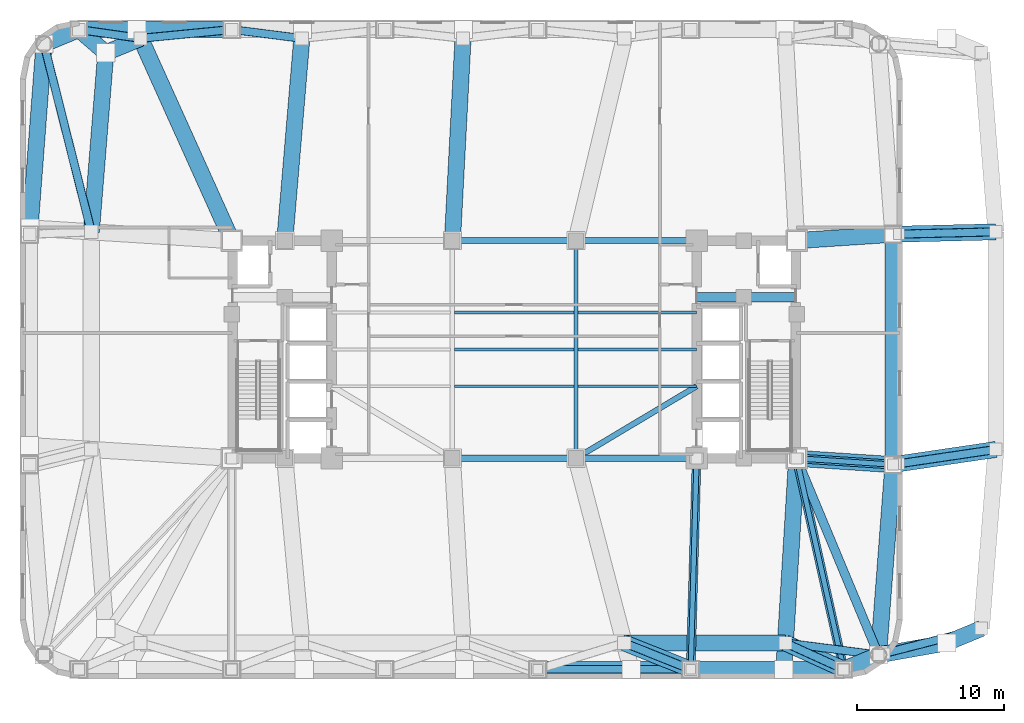
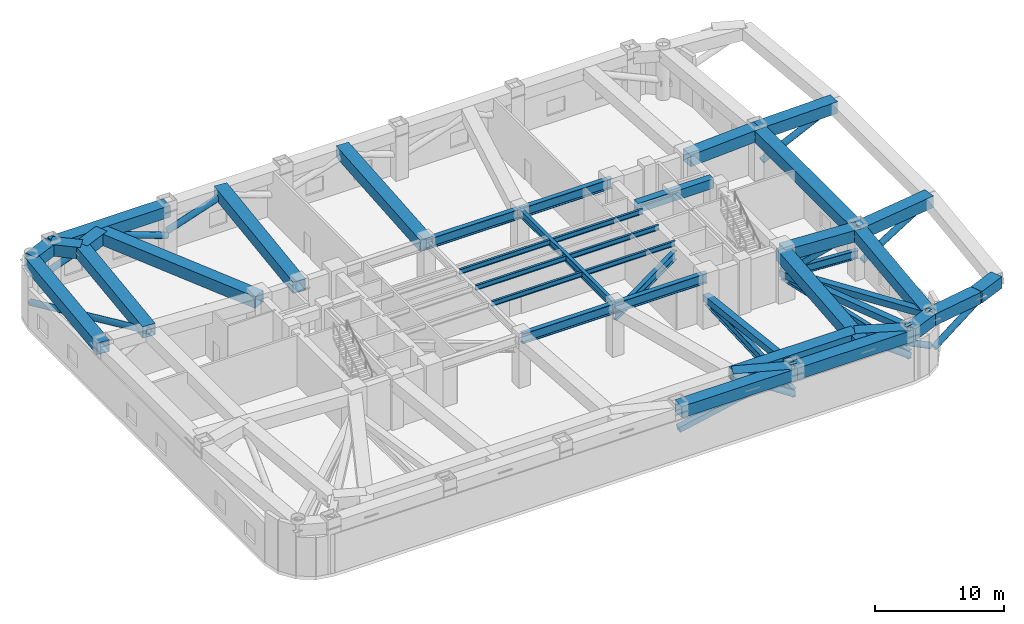
# One storey, part 2 of 9: 40 beams, 15 members.
"""IFC4 building model written with IfcOpenShell, lengths in metres."""

import ifcopenshell
import ifcopenshell.guid

model = None  # the IFC model being written
_history = None  # IfcOwnerHistory: only IFC2X3 demands one
_inside = {}  # id of a spatial element -> (the spatial element, [elements in it])
_under = {}  # id of a project, library or spatial element -> (it, [spatial elements below it])
_declared = {}  # id of a project -> (the project, [libraries it declares])
_typed = {}  # id of a type object -> (the type object, [elements of that type])
_made_of = {}  # id of a material, layer set ... -> (it, [elements and type objects made of it])


def new_model(schema):
    """Start an empty IFC model of exactly this schema.

    Asked for "IFC4X3", IfcOpenShell would pick the latest addendum, in which some entities
    have other attributes; the version numbers below select the first issue.
    IFC2X3 requires an IfcOwnerHistory on every rooted entity: one is made here for all.
    """
    global model, _history
    if schema == "IFC4X3":
        model = ifcopenshell.file(schema_version=(4, 3, 0, 0))
    else:
        model = ifcopenshell.file(schema=schema)
    _inside.clear()
    _under.clear()
    _declared.clear()
    _typed.clear()
    _made_of.clear()
    _history = None
    if model.schema == "IFC2X3":
        org = make("IfcOrganization", Name="unknown")
        user = make(
            "IfcPersonAndOrganization",
            ThePerson=make("IfcPerson", FamilyName="unknown"),
            TheOrganization=org,
        )
        app = make(
            "IfcApplication",
            ApplicationDeveloper=org,
            Version="unknown",
            ApplicationFullName="unknown",
            ApplicationIdentifier="unknown",
        )
        _history = make(
            "IfcOwnerHistory",
            OwningUser=user,
            OwningApplication=app,
            ChangeAction="ADDED",
            CreationDate=0,
        )
    return model


def make(cls, **values):
    """One entity of the class cls with the attributes given. An attribute that is None is left unset."""
    return model.create_entity(
        cls, **{name: value for name, value in values.items() if value is not None}
    )


def rooted(cls, **values):
    """An entity with a GlobalId (a new one), such as an element, a storey or a relation."""
    return make(cls, GlobalId=ifcopenshell.guid.new(), OwnerHistory=_history, **values)


def si_unit(unit_type, name, prefix=None):
    """IfcSIUnit, for example si_unit("LENGTHUNIT", "METRE", prefix="MILLI")."""
    return make("IfcSIUnit", UnitType=unit_type, Prefix=prefix, Name=name)


def assignment(units):
    """IfcUnitAssignment: the units of a project."""
    return None if units is None else make("IfcUnitAssignment", Units=units)


def point(xyz):
    """IfcCartesianPoint."""
    return None if xyz is None else make("IfcCartesianPoint", Coordinates=xyz)


def direction(xyz):
    """IfcDirection."""
    return None if xyz is None else make("IfcDirection", DirectionRatios=xyz)


def frame(location, z_axis=None, x_axis=None):
    """IfcAxis2Placement3D, a coordinate frame: its origin and axes. An axis left out is left unset."""
    return make(
        "IfcAxis2Placement3D",
        Location=point(location),
        Axis=direction(z_axis),
        RefDirection=direction(x_axis),
    )


def frame_2d(location, x_axis=None):
    """IfcAxis2Placement2D, a coordinate frame in the plane: its origin and x axis."""
    return make(
        "IfcAxis2Placement2D", Location=point(location), RefDirection=direction(x_axis)
    )


def origin():
    """The frame at (0, 0, 0) with its axes left unset."""
    return frame((0.0, 0.0, 0.0))


def origin_2d():
    """The frame at (0, 0) in the plane with its x axis left unset."""
    return frame_2d((0.0, 0.0))


def place(relative_to, where):
    """IfcLocalPlacement: puts the frame where relative to a parent placement (None: the world)."""
    return make(
        "IfcLocalPlacement", PlacementRelTo=relative_to, RelativePlacement=where
    )


def context(
    kind, dimensions, precision=None, world=None, true_north=None, identifier=None
):
    """IfcGeometricRepresentationContext, for example the 3D "Model" context."""
    return make(
        "IfcGeometricRepresentationContext",
        ContextIdentifier=identifier,
        ContextType=kind,
        CoordinateSpaceDimension=dimensions,
        Precision=precision,
        WorldCoordinateSystem=world,
        TrueNorth=true_north,
    )


def subcontext(parent, identifier, kind, view, scale=None):
    """IfcGeometricRepresentationSubContext, for example "Body" below "Model"."""
    return make(
        "IfcGeometricRepresentationSubContext",
        ContextIdentifier=identifier,
        ContextType=kind,
        ParentContext=parent,
        TargetScale=scale,
        TargetView=view,
    )


def project(units=None, contexts=None):
    """IfcProject with its units and contexts."""
    return rooted(
        "IfcProject",
        Name="project",
        RepresentationContexts=contexts,
        UnitsInContext=assignment(units),
    )


def spatial(cls, under=None, at=None, **own):
    """A site, building, storey or space (cls), placed at a placement, below another one or the project."""
    s = rooted(cls, ObjectPlacement=at, **own)
    if under is not None:
        _under.setdefault(under.id(), (under, []))[1].append(s)
    return s


def profile(cls, at=None, kind="AREA", **sizes):
    """A parametric profile (cls). Its sizes go by their IFC names, for example OverallWidth=200.0."""
    return make(cls, ProfileType=kind, Position=at, **sizes)


def rectangle(**sizes):
    """IfcRectangleProfileDef."""
    return profile("IfcRectangleProfileDef", **sizes)


def hollow_rectangle(**sizes):
    """IfcRectangleHollowProfileDef."""
    return profile("IfcRectangleHollowProfileDef", **sizes)


def hollow_circle(**sizes):
    """IfcCircleHollowProfileDef."""
    return profile("IfcCircleHollowProfileDef", **sizes)


def i_section(**sizes):
    """IfcIShapeProfileDef."""
    return profile("IfcIShapeProfileDef", **sizes)


def extrude(swept, where, along, depth):
    """IfcExtrudedAreaSolid: the profile swept, set in the frame where, extruded along a direction by depth."""
    return make(
        "IfcExtrudedAreaSolid",
        SweptArea=swept,
        Position=where,
        ExtrudedDirection=direction(along),
        Depth=depth,
    )


def shape(context_of_items, identifier, shape_type, items):
    """IfcShapeRepresentation: the items that make up one representation, for example the "Body"."""
    return make(
        "IfcShapeRepresentation",
        ContextOfItems=context_of_items,
        RepresentationIdentifier=identifier,
        RepresentationType=shape_type,
        Items=items,
    )


def material(Name=None, Category=None):
    """IfcMaterial."""
    return make("IfcMaterial", Name=Name, Category=Category)


def material_profile(
    of_material, cross_section, Name=None, Category=None, Priority=None
):
    """IfcMaterialProfile: a cross section and its material."""
    return make(
        "IfcMaterialProfile",
        Name=Name,
        Material=of_material,
        Profile=cross_section,
        Priority=Priority,
        Category=Category,
    )


def profile_set(profiles, Name=None, composite=None):
    """IfcMaterialProfileSet."""
    return make(
        "IfcMaterialProfileSet",
        Name=Name,
        MaterialProfiles=profiles,
        CompositeProfile=composite,
    )


def made_of(thing, what):
    """Note that an element or type object is made of a material, layer set ...; save() writes the relation."""
    if what is not None:
        _made_of.setdefault(what.id(), (what, []))[1].append(thing)
    return thing


def type_object(cls, material=None, **own):
    """A type object (cls), such as IfcWallType, which elements share."""
    return made_of(rooted(cls, **own), material)


def element(
    cls,
    number,
    at=None,
    inside=None,
    cuts=None,
    type_object=None,
    material=None,
    context=None,
    identifier="Body",
    shape_type=None,
    held_by="IfcProductDefinitionShape",
    body=None,
    shapes=None,
    **own,
):
    """One element of the class cls, such as IfcWall. Its Tag is "e" and its number.

    at: its placement. inside: the storey or other place that contains it. cuts: it is an
    opening in that element (IfcRelVoidsElement). A single representation is given by context,
    identifier, shape_type and body (its items); several are given by shapes. held_by: the class
    of the entity that holds the representations. save() writes the other relations.
    """
    e = rooted(cls, Tag="e%d" % number, ObjectPlacement=at, **own)
    if body is not None:
        shapes = [shape(context, identifier, shape_type, body)]
    if shapes is not None:
        e.Representation = make(held_by, Representations=shapes)
    if inside is not None:
        _inside.setdefault(inside.id(), (inside, []))[1].append(e)
    if cuts is not None:
        rooted(
            "IfcRelVoidsElement", RelatingBuildingElement=cuts, RelatedOpeningElement=e
        )
    if type_object is not None:
        _typed.setdefault(type_object.id(), (type_object, []))[1].append(e)
    return made_of(e, material)


def aggregate(whole, parts):
    """IfcRelAggregates: a whole, such as a stair, and the parts it consists of."""
    return rooted("IfcRelAggregates", RelatingObject=whole, RelatedObjects=parts)


def save(model, path):
    """Write the relations noted so far, then the file.

    IfcRelAggregates (storeys below a building ...), IfcRelContainedInSpatialStructure (elements
    in a storey), IfcRelDefinesByType, IfcRelAssociatesMaterial and IfcRelDeclares: one each for
    every whole, place, type object, material and project.
    """
    for whole, parts in _under.values():
        aggregate(whole, parts)
    for where, things in _inside.values():
        rooted(
            "IfcRelContainedInSpatialStructure",
            RelatedElements=things,
            RelatingStructure=where,
        )
    for kind, things in _typed.values():
        rooted("IfcRelDefinesByType", RelatedObjects=things, RelatingType=kind)
    for what, things in _made_of.values():
        rooted("IfcRelAssociatesMaterial", RelatedObjects=things, RelatingMaterial=what)
    for by, libraries in _declared.values():
        rooted("IfcRelDeclares", RelatingContext=by, RelatedDefinitions=libraries)
    model.write(path)


model = new_model("IFC4")

# Units and contexts
model_context = context("Model", 3, precision=1e-05, world=origin(), true_north=direction((0.0, 1.0)))
body_context = subcontext(model_context, "Body", "Model", "MODEL_VIEW")
ifc_project = project(units=[si_unit("LENGTHUNIT", "METRE"), si_unit("AREAUNIT", "SQUARE_METRE"), si_unit("VOLUMEUNIT", "CUBIC_METRE"), si_unit("PLANEANGLEUNIT", "RADIAN"), si_unit("MASSUNIT", "GRAM", prefix="KILO")], contexts=[model_context])

# Site, building, storey
site_placement = place(None, origin())
site = spatial("IfcSite", under=ifc_project, at=site_placement, CompositionType="ELEMENT")
building_placement = place(site_placement, origin())
building = spatial("IfcBuilding", under=site, at=building_placement, Name="Voryun Gate Residences", CompositionType="ELEMENT")
storey_placement = place(building_placement, frame((0.0, 0.0, 80.60009765625)))
storey = spatial("IfcBuildingStorey", under=building, at=storey_placement, Name="L19", CompositionType="ELEMENT", Elevation=80.60009765625)

# Beams
ifc_material_1 = material(Name="Steel SM420", Category="steel")
ifc_material_profile_1 = material_profile(ifc_material_1, hollow_rectangle(XDim=1.10009765625, YDim=1.10009765625, WallThickness=0.035888671875, at=origin_2d()), Name="BOX-1100x1100x36")
ifc_profile_set_1 = profile_set([ifc_material_profile_1], Name="Steel SM420")
beam_type_1 = type_object("IfcBeamType", Name="BM_ARCH_RIB", PredefinedType="USERDEFINED", material=ifc_profile_set_1)
for number, where, z_axis, x_axis, name in (
    (1, (1.60009765625, -21.75, 4.25), (1.0, 0.0, 0.0), (0.0, 1.0, 0.0), "BM-L19-SPAND-04"),
    (2, (12.0, -21.75, 4.25), (1.0, 0.0, 0.0), (0.0, 1.0, 0.0), "BM-L19-SPAND-05"),
):
    element("IfcBeam", number, at=place(storey_placement, frame(where, z_axis=z_axis, x_axis=x_axis)), inside=storey, type_object=beam_type_1, Name=name, ObjectType="GIRDER", PredefinedType="USERDEFINED", context=body_context, shape_type="SweptSolid", body=[
        extrude(hollow_rectangle(XDim=1.10009765625, YDim=1.10009765625, WallThickness=0.035888671875, at=origin_2d()), origin(), (0.0, 0.0, 1.0), 10.39990234375),
    ])
beam_1_placement = place(storey_placement, frame((22.39990234375, -21.75, 4.25), z_axis=(0.923883376753, 0.382674151414, 0.0), x_axis=(-0.382674151414, 0.923883376753, 0.0)))
element("IfcBeam", 3, at=beam_1_placement, inside=storey, type_object=beam_type_1, Name="BM-L19-SPAND-06", ObjectType="GIRDER", PredefinedType="USERDEFINED", context=body_context, shape_type="SweptSolid", body=[
    extrude(hollow_rectangle(XDim=1.10009765625, YDim=1.10009765625, WallThickness=0.035888671875, at=origin_2d()), origin(), (0.0, 0.0, 1.0), 2.56396484375),
])
beam_2_placement = place(storey_placement, frame((24.768798828125, -20.768798828125, 4.25), z_axis=(0.075617360159, 0.997136908776, 0.0), x_axis=(-0.997136908776, 0.075617360159, 0.0)))
element("IfcBeam", 4, at=beam_2_placement, inside=storey, type_object=beam_type_1, Name="BM-L19-SPAND-07", ObjectType="GIRDER", PredefinedType="USERDEFINED", context=body_context, shape_type="SweptSolid", body=[
    extrude(hollow_rectangle(XDim=1.10009765625, YDim=1.10009765625, WallThickness=0.035888671875, at=origin_2d()), origin(), (0.0, 0.0, 1.0), 12.975830078125),
])
beam_3_placement = place(storey_placement, frame((25.75, -7.830078125, 4.25), z_axis=(0.0, 1.0, 0.0), x_axis=(-1.0, 0.0, 0.0)))
element("IfcBeam", 5, at=beam_3_placement, inside=storey, type_object=beam_type_1, Name="BM-L19-SPAND-08", ObjectType="GIRDER", PredefinedType="USERDEFINED", context=body_context, shape_type="SweptSolid", body=[
    extrude(hollow_rectangle(XDim=1.10009765625, YDim=1.10009765625, WallThickness=0.035888671875, at=origin_2d()), origin(), (0.0, 0.0, 1.0), 15.66015625),
])
beam_4_placement = place(storey_placement, frame((-19.199951171875, 21.75, 4.25), z_axis=(-1.0, 0.0, 0.0), x_axis=(0.0, -1.0, 0.0)))
element("IfcBeam", 6, at=beam_4_placement, inside=storey, type_object=beam_type_1, Name="BM-L19-SPAND-15", ObjectType="GIRDER", PredefinedType="USERDEFINED", context=body_context, shape_type="SweptSolid", body=[
    extrude(hollow_rectangle(XDim=1.10009765625, YDim=1.10009765625, WallThickness=0.035888671875, at=origin_2d()), origin(), (0.0, 0.0, 1.0), 10.400146484375),
])
beam_5_placement = place(storey_placement, frame((-29.60009765625, 21.75, 4.25), z_axis=(-0.92386943149, -0.382707817477, 0.0), x_axis=(0.382707817477, -0.92386943149, 0.0)))
element("IfcBeam", 7, at=beam_5_placement, inside=storey, type_object=beam_type_1, Name="BM-L19-SPAND-16", ObjectType="GIRDER", PredefinedType="USERDEFINED", context=body_context, shape_type="SweptSolid", body=[
    extrude(hollow_rectangle(XDim=1.10009765625, YDim=1.10009765625, WallThickness=0.035888671875, at=origin_2d()), origin(), (0.0, 0.0, 1.0), 2.563720703125),
])
beam_6_placement = place(storey_placement, frame((-31.96875, 20.768798828125, 4.25), z_axis=(-0.075617360159, -0.997136908776, 0.0), x_axis=(0.997136908776, -0.075617360159, 0.0)))
element("IfcBeam", 8, at=beam_6_placement, inside=storey, type_object=beam_type_1, Name="BM-L19-SPAND-17", ObjectType="GIRDER", PredefinedType="USERDEFINED", context=body_context, shape_type="SweptSolid", body=[
    extrude(hollow_rectangle(XDim=1.10009765625, YDim=1.10009765625, WallThickness=0.035888671875, at=origin_2d()), origin(), (0.0, 0.0, 1.0), 12.975830078125),
])
beam_7_placement = place(storey_placement, frame((12.0, -21.75, 4.25), z_axis=(-0.929039716676, 0.369980005998, 0.0), x_axis=(-0.369980005998, -0.929039716676, 0.0)))
element("IfcBeam", 9, at=beam_7_placement, inside=storey, type_object=beam_type_1, Name="BM-L19-XFERLOW-S4", ObjectType="GIRDER", PredefinedType="USERDEFINED", context=body_context, shape_type="SweptSolid", body=[
    extrude(hollow_rectangle(XDim=1.10009765625, YDim=1.10009765625, WallThickness=0.035888671875, at=origin_2d()), origin(), (0.0, 0.0, 1.0), 4.865234375),
])
beam_8_placement = place(storey_placement, frame((19.199951171875, -7.39990234375, 4.25), z_axis=(-0.060439173306, -0.998171882158, 0.0), x_axis=(0.998171882158, -0.060439173306, 0.0)))
element("IfcBeam", 10, at=beam_8_placement, inside=storey, type_object=beam_type_1, Name="BM-L19-XFERCANT-S5", ObjectType="GIRDER", PredefinedType="USERDEFINED", context=body_context, shape_type="SweptSolid", body=[
    extrude(hollow_rectangle(XDim=1.10009765625, YDim=1.10009765625, WallThickness=0.035888671875, at=origin_2d()), origin(), (0.0, 0.0, 1.0), 14.37646484375),
])
beam_9_placement = place(storey_placement, frame((22.39990234375, -21.75, 4.25), z_axis=(-0.910360711023, 0.413815630233, 0.0), x_axis=(-0.413815630233, -0.910360711023, 0.0)))
element("IfcBeam", 11, at=beam_9_placement, inside=storey, type_object=beam_type_1, Name="BM-L19-XFERLOW-S5", ObjectType="GIRDER", PredefinedType="USERDEFINED", context=body_context, shape_type="SweptSolid", body=[
    extrude(hollow_rectangle(XDim=1.10009765625, YDim=1.10009765625, WallThickness=0.035888671875, at=origin_2d()), origin(), (0.0, 0.0, 1.0), 4.349853515625),
])
beam_10_placement = place(storey_placement, frame((24.768798828125, -20.768798828125, 4.25), z_axis=(0.984725494509, 0.174114044419, 0.0), x_axis=(-0.174114044419, 0.984725494509, 0.0)))
element("IfcBeam", 12, at=beam_10_placement, inside=storey, type_object=beam_type_1, Name="BM-L19-XFERLOW-S6", ObjectType="GIRDER", PredefinedType="USERDEFINED", context=body_context, shape_type="SweptSolid", body=[
    extrude(hollow_rectangle(XDim=1.10009765625, YDim=1.10009765625, WallThickness=0.035888671875, at=origin_2d()), origin(), (0.0, 0.0, 1.0), 4.702880859375),
])
beam_11_placement = place(storey_placement, frame((25.75, -7.830078125, 4.25), z_axis=(0.98930677453, 0.145849600165, 0.0), x_axis=(-0.145849600165, 0.98930677453, 0.0)))
element("IfcBeam", 13, at=beam_11_placement, inside=storey, type_object=beam_type_1, Name="BM-L19-XFERLOW-E1", ObjectType="GIRDER", PredefinedType="USERDEFINED", context=body_context, shape_type="SweptSolid", body=[
    extrude(hollow_rectangle(XDim=1.10009765625, YDim=1.10009765625, WallThickness=0.035888671875, at=origin_2d()), origin(), (0.0, 0.0, 1.0), 7.07568359375),
])
beam_12_placement = place(storey_placement, frame((25.75, 7.830078125, 4.25), z_axis=(0.999712231397, 0.023988630552, 0.0), x_axis=(-0.023988630552, 0.999712231397, 0.0)))
element("IfcBeam", 14, at=beam_12_placement, inside=storey, type_object=beam_type_1, Name="BM-L19-XFERLOW-E2", ObjectType="GIRDER", PredefinedType="USERDEFINED", context=body_context, shape_type="SweptSolid", body=[
    extrude(hollow_rectangle(XDim=1.10009765625, YDim=1.10009765625, WallThickness=0.035888671875, at=origin_2d()), origin(), (0.0, 0.0, 1.0), 7.001953125),
])
beam_13_placement = place(storey_placement, frame((-4.199951171875, 7.39990234375, 4.25), z_axis=(0.052294877875, 0.998631686733, 0.0), x_axis=(-0.998631686733, 0.052294877875, 0.0)))
element("IfcBeam", 15, at=beam_13_placement, inside=storey, type_object=beam_type_1, Name="BM-L19-XFERCANT-N4", ObjectType="GIRDER", PredefinedType="USERDEFINED", context=body_context, shape_type="SweptSolid", body=[
    extrude(hollow_rectangle(XDim=1.10009765625, YDim=1.10009765625, WallThickness=0.035888671875, at=origin_2d()), origin(), (0.0, 0.0, 1.0), 14.369873046875),
])
beam_14_placement = place(storey_placement, frame((-15.60009765625, 7.39990234375, 4.25), z_axis=(0.08406962738, 0.996459882661, 0.0), x_axis=(-0.996459882661, 0.08406962738, 0.0)))
element("IfcBeam", 16, at=beam_14_placement, inside=storey, type_object=beam_type_1, Name="BM-L19-XFERCANT-N5", ObjectType="GIRDER", PredefinedType="USERDEFINED", context=body_context, shape_type="SweptSolid", body=[
    extrude(hollow_rectangle(XDim=1.10009765625, YDim=1.10009765625, WallThickness=0.035888671875, at=origin_2d()), origin(), (0.0, 0.0, 1.0), 14.401123046875),
])
beam_15_placement = place(storey_placement, frame((-19.199951171875, 7.39990234375, 4.25), z_axis=(-0.411046849122, 0.911614220944, 0.0), x_axis=(-0.911614220944, -0.411046849122, 0.0)))
element("IfcBeam", 17, at=beam_15_placement, inside=storey, type_object=beam_type_1, Name="BM-L19-XFERCANT-N6", ObjectType="GIRDER", PredefinedType="USERDEFINED", context=body_context, shape_type="SweptSolid", body=[
    extrude(hollow_rectangle(XDim=1.10009765625, YDim=1.10009765625, WallThickness=0.035888671875, at=origin_2d()), origin(), (0.0, 0.0, 1.0), 15.741455078125),
])
beam_16_placement = place(storey_placement, frame((-29.60009765625, 21.75, 4.25), z_axis=(0.756879726015, -0.653554190827, 0.0), x_axis=(0.653554190827, 0.756879726015, 0.0)))
element("IfcBeam", 18, at=beam_16_placement, inside=storey, type_object=beam_type_1, Name="BM-L19-XFERLOW-CNW", ObjectType="GIRDER", PredefinedType="USERDEFINED", context=body_context, shape_type="SweptSolid", body=[
    extrude(hollow_rectangle(XDim=1.10009765625, YDim=1.10009765625, WallThickness=0.035888671875, at=origin_2d()), origin(), (0.0, 0.0, 1.0), 2.41943359375),
])
beam_17_placement = place(storey_placement, frame((7.47998046875, -19.949951171875, 4.25), z_axis=(1.0, 0.0, 0.0), x_axis=(0.0, 1.0, 0.0)))
element("IfcBeam", 19, at=beam_17_placement, inside=storey, type_object=beam_type_1, Name="BM-L19-XFERRING-04", ObjectType="GIRDER", PredefinedType="USERDEFINED", context=body_context, shape_type="SweptSolid", body=[
    extrude(hollow_rectangle(XDim=1.10009765625, YDim=1.10009765625, WallThickness=0.035888671875, at=origin_2d()), origin(), (0.0, 0.0, 1.0), 10.9599609375),
])
for number, where, z_axis, x_axis, name in (
    (20, (29.39990234375, -19.949951171875, 4.25), (0.923883376753, 0.382674151414, 0.0), (-0.382674151414, 0.923883376753, 0.0), "BM-L19-XFERRING-06"),
    (21, (-25.39990234375, 21.14990234375, 4.25), (-0.923883376753, -0.382674151414, 0.0), (0.382674151414, -0.923883376753, 0.0), "BM-L19-XFERRING-16"),
):
    element("IfcBeam", number, at=place(storey_placement, frame(where, z_axis=z_axis, x_axis=x_axis)), inside=storey, type_object=beam_type_1, Name=name, ObjectType="GIRDER", PredefinedType="USERDEFINED", context=body_context, shape_type="SweptSolid", body=[
        extrude(hollow_rectangle(XDim=1.10009765625, YDim=1.10009765625, WallThickness=0.035888671875, at=origin_2d()), origin(), (0.0, 0.0, 1.0), 2.56396484375),
    ])
beam_18_placement = place(storey_placement, frame((-27.768798828125, 20.168701171875, 4.25), z_axis=(-0.080359517973, -0.996765944378, 0.0), x_axis=(0.996765944378, -0.080359517973, 0.0)))
element("IfcBeam", 22, at=beam_18_placement, inside=storey, type_object=beam_type_1, Name="BM-L19-XFERRING-17", ObjectType="GIRDER", PredefinedType="USERDEFINED", context=body_context, shape_type="SweptSolid", body=[
    extrude(hollow_rectangle(XDim=1.10009765625, YDim=1.10009765625, WallThickness=0.035888671875, at=origin_2d()), origin(), (0.0, 0.0, 1.0), 12.210205078125),
])
for number, where, z_axis, x_axis, name in (
    (23, (19.199951171875, -7.39990234375, 4.25), (0.997850335415, -0.06553402255, 0.0), (0.06553402255, 0.997850335415, 0.0), "BM-L19-RAD-E1"),
    (24, (19.199951171875, 7.39990234375, 4.25), (0.997850335415, 0.06553402255, 0.0), (-0.06553402255, 0.997850335415, 0.0), "BM-L19-RAD-E2"),
):
    element("IfcBeam", number, at=place(storey_placement, frame(where, z_axis=z_axis, x_axis=x_axis)), inside=storey, type_object=beam_type_1, Name=name, ObjectType="GIRDER", PredefinedType="USERDEFINED", context=body_context, shape_type="SweptSolid", body=[
        extrude(hollow_rectangle(XDim=1.10009765625, YDim=1.10009765625, WallThickness=0.035888671875, at=origin_2d()), origin(), (0.0, 0.0, 1.0), 6.564208984375),
    ])
ifc_material_2 = material(Name="Concrete C60/75", Category="concrete")
ifc_material_profile_2 = material_profile(ifc_material_2, rectangle(XDim=0.64990234375, YDim=0.89990234375, at=origin_2d()), Name="RC-650x900")
ifc_profile_set_2 = profile_set([ifc_material_profile_2], Name="Concrete C60/75")
beam_type_2 = type_object("IfcBeamType", Name="BM_COUP_RC900", PredefinedType="LINTEL", material=ifc_profile_set_2)
beam_19_placement = place(storey_placement, frame((12.39990234375, 3.550048828125, 4.349853515625), z_axis=(1.0, 0.0, 0.0), x_axis=(0.0, 1.0, 0.0)))
element("IfcBeam", 25, at=beam_19_placement, inside=storey, type_object=beam_type_2, Name="BM-L19-EC1", PredefinedType="LINTEL", context=body_context, shape_type="SweptSolid", body=[
    extrude(rectangle(XDim=0.64990234375, YDim=0.89990234375, at=origin_2d()), origin(), (0.0, 0.0, 1.0), 6.800048828125),
])
ifc_material_3 = material(Name="Steel SM355", Category="steel")
ifc_material_profile_3 = material_profile(ifc_material_3, i_section(OverallWidth=0.300048828125, OverallDepth=0.699951171875, WebThickness=0.012939453125, FlangeThickness=0.02392578125, FilletRadius=0.01806640625, at=origin_2d()), Name="H-700x300x13x24")
ifc_profile_set_3 = profile_set([ifc_material_profile_3], Name="Steel SM355")
beam_type_3 = type_object("IfcBeamType", Name="BM_GIRD_700", PredefinedType="USERDEFINED", material=ifc_profile_set_3)
beam_20_placement = place(storey_placement, frame((4.199951171875, -7.39990234375, 4.449951171875), z_axis=(0.0, 1.0, 0.0), x_axis=(-1.0, 0.0, 0.0)))
element("IfcBeam", 26, at=beam_20_placement, inside=storey, type_object=beam_type_3, Name="BM-L19-SPX-E", ObjectType="GIRDER", PredefinedType="USERDEFINED", context=body_context, shape_type="SweptSolid", body=[
    extrude(i_section(OverallWidth=0.300048828125, OverallDepth=0.699951171875, WebThickness=0.012939453125, FlangeThickness=0.02392578125, FilletRadius=0.01806640625, at=origin_2d()), origin(), (0.0, 0.0, 1.0), 14.7998046875),
])
ifc_material_4 = material(Name="Steel SM420", Category="steel")
ifc_material_profile_4 = material_profile(ifc_material_4, i_section(OverallWidth=0.360107421875, OverallDepth=0.800048828125, WebThickness=0.01611328125, FlangeThickness=0.030029296875, FilletRadius=0.01806640625, at=origin_2d()), Name="H-800x360x16x30")
ifc_profile_set_4 = profile_set([ifc_material_profile_4], Name="Steel SM420")
beam_type_4 = type_object("IfcBeamType", Name="BM_OUTRIGGER_CHD", PredefinedType="USERDEFINED", material=ifc_profile_set_4)
beam_21_placement = place(storey_placement, frame((12.39990234375, -7.39990234375, 2.14990234375), z_axis=(-0.0278567548, -0.999611925305, 0.0), x_axis=(0.999611925305, -0.0278567548, 0.0)))
element("IfcBeam", 27, at=beam_21_placement, inside=storey, type_object=beam_type_4, Name="BM-L19-OUTCHD-S5", ObjectType="GIRDER", PredefinedType="USERDEFINED", context=body_context, shape_type="SweptSolid", body=[
    extrude(i_section(OverallWidth=0.360107421875, OverallDepth=0.800048828125, WebThickness=0.01611328125, FlangeThickness=0.030029296875, FilletRadius=0.01806640625, at=origin_2d()), origin(), (0.0, 0.0, 1.0), 14.355712890625),
])
beam_22_placement = place(storey_placement, frame((19.199951171875, -7.39990234375, 2.14990234375), z_axis=(0.217645991352, -0.976027777498, 0.0), x_axis=(0.976027777498, 0.217645991352, 0.0)))
element("IfcBeam", 28, at=beam_22_placement, inside=storey, type_object=beam_type_4, Name="BM-L19-OUTCHD-S6", ObjectType="GIRDER", PredefinedType="USERDEFINED", context=body_context, shape_type="SweptSolid", body=[
    extrude(i_section(OverallWidth=0.360107421875, OverallDepth=0.800048828125, WebThickness=0.01611328125, FlangeThickness=0.030029296875, FilletRadius=0.01806640625, at=origin_2d()), origin(), (0.0, 0.0, 1.0), 14.70263671875),
])
beam_23_placement = place(storey_placement, frame((19.199951171875, -7.39990234375, 2.14990234375), z_axis=(0.997850335415, -0.06553402255, 0.0), x_axis=(0.06553402255, 0.997850335415, 0.0)))
element("IfcBeam", 29, at=beam_23_placement, inside=storey, type_object=beam_type_4, Name="BM-L19-OUTCHD-E1", ObjectType="GIRDER", PredefinedType="USERDEFINED", context=body_context, shape_type="SweptSolid", body=[
    extrude(i_section(OverallWidth=0.360107421875, OverallDepth=0.800048828125, WebThickness=0.01611328125, FlangeThickness=0.030029296875, FilletRadius=0.01806640625, at=origin_2d()), origin(), (0.0, 0.0, 1.0), 6.564208984375),
])
ifc_material_5 = material(Name="Steel SM355", Category="steel")
ifc_material_profile_5 = material_profile(ifc_material_5, i_section(OverallWidth=0.199951171875, OverallDepth=0.47998046875, WebThickness=0.010009765625, FlangeThickness=0.01806640625, FilletRadius=0.01806640625, at=origin_2d()), Name="H-480x200x10x18")
ifc_profile_set_5 = profile_set([ifc_material_profile_5], Name="Steel SM355")
beam_type_5 = type_object("IfcBeamType", Name="BM_SEC_480", PredefinedType="BEAM", material=ifc_profile_set_5)
beam_24_placement = place(storey_placement, frame((-4.074951171875, -2.5, 4.559814453125), z_axis=(1.0, 0.0, 0.0), x_axis=(0.0, 1.0, 0.0)))
element("IfcBeam", 30, at=beam_24_placement, inside=storey, type_object=beam_type_5, Name="BM-L19-SEC-CS2", PredefinedType="BEAM", context=body_context, shape_type="SweptSolid", body=[
    extrude(i_section(OverallWidth=0.199951171875, OverallDepth=0.47998046875, WebThickness=0.010009765625, FlangeThickness=0.01806640625, FilletRadius=0.01806640625, at=origin_2d()), origin(), (0.0, 0.0, 1.0), 8.14990234375),
])
beam_25_placement = place(storey_placement, frame((4.324951171875, -2.5, 4.559814453125), z_axis=(1.0, 0.0, 0.0), x_axis=(0.0, 1.0, 0.0)))
element("IfcBeam", 31, at=beam_25_placement, inside=storey, type_object=beam_type_5, Name="BM-L19-SEC-CS3", PredefinedType="BEAM", context=body_context, shape_type="SweptSolid", body=[
    extrude(i_section(OverallWidth=0.199951171875, OverallDepth=0.47998046875, WebThickness=0.010009765625, FlangeThickness=0.01806640625, FilletRadius=0.01806640625, at=origin_2d()), origin(), (0.0, 0.0, 1.0), 8.074951171875),
])
beam_26_placement = place(storey_placement, frame((-4.074951171875, 0.0, 4.559814453125), z_axis=(1.0, 0.0, 0.0), x_axis=(0.0, 1.0, 0.0)))
element("IfcBeam", 32, at=beam_26_placement, inside=storey, type_object=beam_type_5, Name="BM-L19-SEC-CM2", PredefinedType="BEAM", context=body_context, shape_type="SweptSolid", body=[
    extrude(i_section(OverallWidth=0.199951171875, OverallDepth=0.47998046875, WebThickness=0.010009765625, FlangeThickness=0.01806640625, FilletRadius=0.01806640625, at=origin_2d()), origin(), (0.0, 0.0, 1.0), 8.14990234375),
])
beam_27_placement = place(storey_placement, frame((4.324951171875, 0.0, 4.559814453125), z_axis=(1.0, 0.0, 0.0), x_axis=(0.0, 1.0, 0.0)))
element("IfcBeam", 33, at=beam_27_placement, inside=storey, type_object=beam_type_5, Name="BM-L19-SEC-CM3", PredefinedType="BEAM", context=body_context, shape_type="SweptSolid", body=[
    extrude(i_section(OverallWidth=0.199951171875, OverallDepth=0.47998046875, WebThickness=0.010009765625, FlangeThickness=0.01806640625, FilletRadius=0.01806640625, at=origin_2d()), origin(), (0.0, 0.0, 1.0), 8.074951171875),
])
beam_28_placement = place(storey_placement, frame((-4.074951171875, 2.5, 4.559814453125), z_axis=(1.0, 0.0, 0.0), x_axis=(0.0, 1.0, 0.0)))
element("IfcBeam", 34, at=beam_28_placement, inside=storey, type_object=beam_type_5, Name="BM-L19-SEC-CN2", PredefinedType="BEAM", context=body_context, shape_type="SweptSolid", body=[
    extrude(i_section(OverallWidth=0.199951171875, OverallDepth=0.47998046875, WebThickness=0.010009765625, FlangeThickness=0.01806640625, FilletRadius=0.01806640625, at=origin_2d()), origin(), (0.0, 0.0, 1.0), 8.14990234375),
])
beam_29_placement = place(storey_placement, frame((4.324951171875, 2.5, 4.559814453125), z_axis=(1.0, 0.0, 0.0), x_axis=(0.0, 1.0, 0.0)))
element("IfcBeam", 35, at=beam_29_placement, inside=storey, type_object=beam_type_5, Name="BM-L19-SEC-CN3", PredefinedType="BEAM", context=body_context, shape_type="SweptSolid", body=[
    extrude(i_section(OverallWidth=0.199951171875, OverallDepth=0.47998046875, WebThickness=0.010009765625, FlangeThickness=0.01806640625, FilletRadius=0.01806640625, at=origin_2d()), origin(), (0.0, 0.0, 1.0), 8.074951171875),
])
ifc_material_6 = material(Name="Steel SM420", Category="steel")
ifc_material_profile_6 = material_profile(ifc_material_6, i_section(OverallWidth=0.3798828125, OverallDepth=0.85009765625, WebThickness=0.01806640625, FlangeThickness=0.031982421875, FilletRadius=0.01806640625, at=origin_2d()), Name="H-850x380x18x32")
ifc_profile_set_6 = profile_set([ifc_material_profile_6], Name="Steel SM420")
beam_type_6 = type_object("IfcBeamType", Name="BM_XFER_850", PredefinedType="USERDEFINED", material=ifc_profile_set_6)
beam_30_placement = place(storey_placement, frame((4.199951171875, -7.39990234375, 3.494873046875), z_axis=(0.858418389627, 0.512950161664, 0.0), x_axis=(-0.512950161664, 0.858418389627, 0.0)))
element("IfcBeam", 36, at=beam_30_placement, inside=storey, type_object=beam_type_6, Name="BM-L19-XFERTIE-CSE", ObjectType="GIRDER", PredefinedType="USERDEFINED", context=body_context, shape_type="SweptSolid", body=[
    extrude(i_section(OverallWidth=0.3798828125, OverallDepth=0.85009765625, WebThickness=0.01806640625, FlangeThickness=0.031982421875, FilletRadius=0.01806640625, at=origin_2d()), origin(), (0.0, 0.0, 1.0), 9.552490234375),
])
ifc_material_7 = material(Name="Steel SM420", Category="steel")
ifc_material_profile_7 = material_profile(ifc_material_7, i_section(OverallWidth=0.419921875, OverallDepth=0.949951171875, WebThickness=0.02001953125, FlangeThickness=0.035888671875, FilletRadius=0.01806640625, at=origin_2d()), Name="H-950x420x20x36")
ifc_profile_set_7 = profile_set([ifc_material_profile_7], Name="Steel SM420")
beam_type_7 = type_object("IfcBeamType", Name="BM_XFER_950", PredefinedType="USERDEFINED", material=ifc_profile_set_7)
beam_31_placement = place(storey_placement, frame((-4.199951171875, -7.39990234375, 4.324951171875), z_axis=(1.0, 0.0, 0.0), x_axis=(0.0, 1.0, 0.0)))
element("IfcBeam", 37, at=beam_31_placement, inside=storey, type_object=beam_type_7, Name="BM-L19-SPG2-S", ObjectType="GIRDER", PredefinedType="USERDEFINED", context=body_context, shape_type="SweptSolid", body=[
    extrude(i_section(OverallWidth=0.419921875, OverallDepth=0.949951171875, WebThickness=0.02001953125, FlangeThickness=0.035888671875, FilletRadius=0.01806640625, at=origin_2d()), origin(), (0.0, 0.0, 1.0), 8.39990234375),
])
beam_32_placement = place(storey_placement, frame((4.199951171875, -7.39990234375, 4.324951171875), z_axis=(1.0, 0.0, 0.0), x_axis=(0.0, 1.0, 0.0)))
element("IfcBeam", 38, at=beam_32_placement, inside=storey, type_object=beam_type_7, Name="BM-L19-SPG3-S", ObjectType="GIRDER", PredefinedType="USERDEFINED", context=body_context, shape_type="SweptSolid", body=[
    extrude(i_section(OverallWidth=0.419921875, OverallDepth=0.949951171875, WebThickness=0.02001953125, FlangeThickness=0.035888671875, FilletRadius=0.01806640625, at=origin_2d()), origin(), (0.0, 0.0, 1.0), 8.199951171875),
])
beam_33_placement = place(storey_placement, frame((-4.199951171875, 7.39990234375, 4.324951171875), z_axis=(1.0, 0.0, 0.0), x_axis=(0.0, 1.0, 0.0)))
element("IfcBeam", 39, at=beam_33_placement, inside=storey, type_object=beam_type_7, Name="BM-L19-SPG2-N", ObjectType="GIRDER", PredefinedType="USERDEFINED", context=body_context, shape_type="SweptSolid", body=[
    extrude(i_section(OverallWidth=0.419921875, OverallDepth=0.949951171875, WebThickness=0.02001953125, FlangeThickness=0.035888671875, FilletRadius=0.01806640625, at=origin_2d()), origin(), (0.0, 0.0, 1.0), 8.39990234375),
])
beam_34_placement = place(storey_placement, frame((4.199951171875, 7.39990234375, 4.324951171875), z_axis=(1.0, 0.0, 0.0), x_axis=(0.0, 1.0, 0.0)))
element("IfcBeam", 40, at=beam_34_placement, inside=storey, type_object=beam_type_7, Name="BM-L19-SPG3-N", ObjectType="GIRDER", PredefinedType="USERDEFINED", context=body_context, shape_type="SweptSolid", body=[
    extrude(i_section(OverallWidth=0.419921875, OverallDepth=0.949951171875, WebThickness=0.02001953125, FlangeThickness=0.035888671875, FilletRadius=0.01806640625, at=origin_2d()), origin(), (0.0, 0.0, 1.0), 8.199951171875),
])

# Members
ifc_material_8 = material(Name="Steel SM420", Category="steel")
ifc_material_profile_8 = material_profile(ifc_material_8, hollow_rectangle(XDim=0.52001953125, YDim=0.52001953125, WallThickness=0.02392578125, at=origin_2d()), Name="BOX-520x520x24")
ifc_profile_set_8 = profile_set([ifc_material_profile_8], Name="Steel SM420")
member_type_1 = type_object("IfcMemberType", Name="MBR_BELT_DIAG", PredefinedType="BRACE", material=ifc_profile_set_8)
member_1_placement = place(storey_placement, frame((1.60009765625, -21.75, 2.39990234375), z_axis=(0.979294064075, 0.0, 0.202442920518), x_axis=(0.0, 1.0, 0.0)))
element("IfcMember", 41, at=member_1_placement, inside=storey, type_object=member_type_1, Name="L19 Mechanical South Belt Truss Diagonal 04", PredefinedType="BRACE", context=body_context, shape_type="SweptSolid", body=[
    extrude(hollow_rectangle(XDim=0.52001953125, YDim=0.52001953125, WallThickness=0.02392578125, at=origin_2d()), origin(), (0.0, 0.0, 1.0), 10.619873046875),
])
ifc_material_9 = material(Name="Steel SM420", Category="steel")
ifc_material_profile_9 = material_profile(ifc_material_9, hollow_circle(Radius=0.280029296875, WallThickness=0.02587890625, at=origin_2d()), Name="CHS-560x26")
ifc_profile_set_9 = profile_set([ifc_material_profile_9], Name="Steel SM420")
member_type_2 = type_object("IfcMemberType", Name="MBR_CANT_STRUT_B2", PredefinedType="STRUT", material=ifc_profile_set_9)
member_2_placement = place(storey_placement, frame((12.0, -21.75, 2.0498046875), z_axis=(-0.846504803974, 0.337111370838, 0.412050410144), x_axis=(-0.369980005998, -0.929039716676, 0.0)))
element("IfcMember", 42, at=member_2_placement, inside=storey, type_object=member_type_2, Name="L19 Setback Transfer V-Strut S4-1", PredefinedType="STRUT", context=body_context, shape_type="SweptSolid", body=[
    extrude(hollow_circle(Radius=0.280029296875, WallThickness=0.02587890625, at=origin_2d()), origin(), (0.0, 0.0, 1.0), 5.339599609375),
])
member_3_placement = place(storey_placement, frame((22.39990234375, -21.75, 2.0498046875), z_axis=(-0.812356067637, 0.369266417182, 0.451353445224), x_axis=(-0.413815630233, -0.910360711023, 0.0)))
element("IfcMember", 43, at=member_3_placement, inside=storey, type_object=member_type_2, Name="L19 Setback Transfer V-Strut S5-1", PredefinedType="STRUT", context=body_context, shape_type="SweptSolid", body=[
    extrude(hollow_circle(Radius=0.280029296875, WallThickness=0.02587890625, at=origin_2d()), origin(), (0.0, 0.0, 1.0), 4.874755859375),
])
member_4_placement = place(storey_placement, frame((24.768798828125, -20.768798828125, 1.56982421875), z_axis=(-0.914365807061, 0.118303549623, 0.387220145427), x_axis=(-0.12831364508, -0.991733637872, 0.0)))
element("IfcMember", 44, at=member_4_placement, inside=storey, type_object=member_type_2, Name="L19 Setback Transfer V-Strut S5-2", PredefinedType="STRUT", context=body_context, shape_type="SweptSolid", body=[
    extrude(hollow_circle(Radius=0.280029296875, WallThickness=0.02587890625, at=origin_2d()), origin(), (0.0, 0.0, 1.0), 6.921630859375),
])
member_5_placement = place(storey_placement, frame((25.175537109375, -20.664306640625, 1.1865234375), z_axis=(0.883186217204, 0.227124649281, 0.410361425368), x_axis=(-0.249061222399, 0.968487742564, 0.0)))
element("IfcMember", 45, at=member_5_placement, inside=storey, type_object=member_type_2, Name="L19 Block B2 Cantilever Strut CSE", PredefinedType="STRUT", context=body_context, shape_type="SweptSolid", body=[
    extrude(hollow_circle(Radius=0.280029296875, WallThickness=0.02587890625, at=origin_2d()), origin(), (0.0, 0.0, 1.0), 7.46533203125),
])
member_6_placement = place(storey_placement, frame((26.16552734375, -7.768798828125, 1.2548828125), z_axis=(0.902166497823, 0.13300014814, 0.410373696526), x_axis=(-0.145846697695, 0.989307202426, 0.0)))
element("IfcMember", 46, at=member_6_placement, inside=storey, type_object=member_type_2, Name="L19 Block B2 Cantilever Strut E1", PredefinedType="STRUT", context=body_context, shape_type="SweptSolid", body=[
    extrude(hollow_circle(Radius=0.280029296875, WallThickness=0.02587890625, at=origin_2d()), origin(), (0.0, 0.0, 1.0), 7.298583984375),
])
member_7_placement = place(storey_placement, frame((26.169921875, 7.840087890625, 1.2880859375), z_axis=(0.91165752196, 0.021884921962, 0.4103676557), x_axis=(-0.02399872577, 0.999711989106, 0.0)))
element("IfcMember", 47, at=member_7_placement, inside=storey, type_object=member_type_2, Name="L19 Block B2 Cantilever Strut E2", PredefinedType="STRUT", context=body_context, shape_type="SweptSolid", body=[
    extrude(hollow_circle(Radius=0.280029296875, WallThickness=0.02587890625, at=origin_2d()), origin(), (0.0, 0.0, 1.0), 7.2177734375),
])
member_8_placement = place(storey_placement, frame((-19.199951171875, 21.75, 2.0498046875), z_axis=(0.901836186474, -0.113695099059, 0.416851193132), x_axis=(0.125080592148, 0.992146584668, 0.0)))
element("IfcMember", 48, at=member_8_placement, inside=storey, type_object=member_type_2, Name="L19 Setback Transfer V-Strut N5-1", PredefinedType="STRUT", context=body_context, shape_type="SweptSolid", body=[
    extrude(hollow_circle(Radius=0.280029296875, WallThickness=0.02587890625, at=origin_2d()), origin(), (0.0, 0.0, 1.0), 5.278076171875),
])
member_9_placement = place(storey_placement, frame((-29.60009765625, 21.75, 2.0498046875), z_axis=(0.878813165154, -0.12555933271, 0.460350165332), x_axis=(0.141437467891, 0.989947191863, 0.0)))
element("IfcMember", 49, at=member_9_placement, inside=storey, type_object=member_type_2, Name="L19 Setback Transfer V-Strut N6-1", PredefinedType="STRUT", context=body_context, shape_type="SweptSolid", body=[
    extrude(hollow_circle(Radius=0.280029296875, WallThickness=0.02587890625, at=origin_2d()), origin(), (0.0, 0.0, 1.0), 4.779296875),
])
member_10_placement = place(storey_placement, frame((-19.199951171875, 21.75, 1.6337890625), z_axis=(-0.917690173088, -0.088823880506, 0.387240318756), x_axis=(0.096340478815, -0.995348437554, 0.0)))
element("IfcMember", 50, at=member_10_placement, inside=storey, type_object=member_type_2, Name="L19 Setback Transfer V-Strut N6-2", PredefinedType="STRUT", context=body_context, shape_type="SweptSolid", body=[
    extrude(hollow_circle(Radius=0.280029296875, WallThickness=0.02587890625, at=origin_2d()), origin(), (0.0, 0.0, 1.0), 6.756103515625),
])
member_11_placement = place(storey_placement, frame((-31.96875, 20.768798828125, 0.349853515625), z_axis=(0.234338253169, -0.929763325622, 0.283946722874), x_axis=(0.969675095427, 0.244397645876, 0.0)))
element("IfcMember", 51, at=member_11_placement, inside=storey, type_object=member_type_2, Name="L19 Setback Transfer V-Strut W1-2", PredefinedType="STRUT", context=body_context, shape_type="SweptSolid", body=[
    extrude(hollow_circle(Radius=0.280029296875, WallThickness=0.02587890625, at=origin_2d()), origin(), (0.0, 0.0, 1.0), 13.735595703125),
])
ifc_material_10 = material(Name="Steel SM420", Category="steel")
ifc_material_profile_10 = material_profile(ifc_material_10, hollow_rectangle(XDim=0.60009765625, YDim=0.60009765625, WallThickness=0.028076171875, at=origin_2d()), Name="BOX-600x600x28")
ifc_profile_set_10 = profile_set([ifc_material_profile_10], Name="Steel SM420")
member_type_3 = type_object("IfcMemberType", Name="MBR_OUTRIGGER_DIAG", PredefinedType="BRACE", material=ifc_profile_set_10)
member_12_placement = place(storey_placement, frame((12.39990234375, -7.39990234375, 2.39990234375), z_axis=(-0.027549527427, -0.988587376747, 0.148108143177), x_axis=(0.999611925305, -0.0278567548, 0.0)))
element("IfcMember", 52, at=member_12_placement, inside=storey, type_object=member_type_3, Name="L19 Outrigger Truss Diagonal S5", PredefinedType="BRACE", context=body_context, shape_type="SweptSolid", body=[
    extrude(hollow_rectangle(XDim=0.60009765625, YDim=0.60009765625, WallThickness=0.028076171875, at=origin_2d()), origin(), (0.0, 0.0, 1.0), 14.515869140625),
])
member_13_placement = place(storey_placement, frame((19.199951171875, -7.39990234375, 2.39990234375), z_axis=(0.215355780324, -0.965757385816, 0.144687800529), x_axis=(0.976027777498, 0.217645991352, 0.0)))
element("IfcMember", 53, at=member_13_placement, inside=storey, type_object=member_type_3, Name="L19 Outrigger Truss Diagonal S6", PredefinedType="BRACE", context=body_context, shape_type="SweptSolid", body=[
    extrude(hollow_rectangle(XDim=0.60009765625, YDim=0.60009765625, WallThickness=0.028076171875, at=origin_2d()), origin(), (0.0, 0.0, 1.0), 14.85888671875),
])
member_14_placement = place(storey_placement, frame((19.199951171875, -7.39990234375, 2.39990234375), z_axis=(0.380357431162, -0.913107960236, 0.146840312969), x_axis=(0.923114324993, 0.384525607719, 0.0)))
element("IfcMember", 54, at=member_14_placement, inside=storey, type_object=member_type_3, Name="L19 Outrigger Truss Diagonal CSE", PredefinedType="BRACE", context=body_context, shape_type="SweptSolid", body=[
    extrude(hollow_rectangle(XDim=0.60009765625, YDim=0.60009765625, WallThickness=0.028076171875, at=origin_2d()), origin(), (0.0, 0.0, 1.0), 14.64111328125),
])
member_15_placement = place(storey_placement, frame((19.199951171875, -7.39990234375, 2.39990234375), z_axis=(0.948284377997, -0.062278768274, 0.311252459378), x_axis=(0.06553402255, 0.997850335415, 0.0)))
element("IfcMember", 55, at=member_15_placement, inside=storey, type_object=member_type_3, Name="L19 Outrigger Truss Diagonal E1", PredefinedType="BRACE", context=body_context, shape_type="SweptSolid", body=[
    extrude(hollow_rectangle(XDim=0.60009765625, YDim=0.60009765625, WallThickness=0.028076171875, at=origin_2d()), origin(), (0.0, 0.0, 1.0), 6.9072265625),
])

save(model, "model.ifc")
